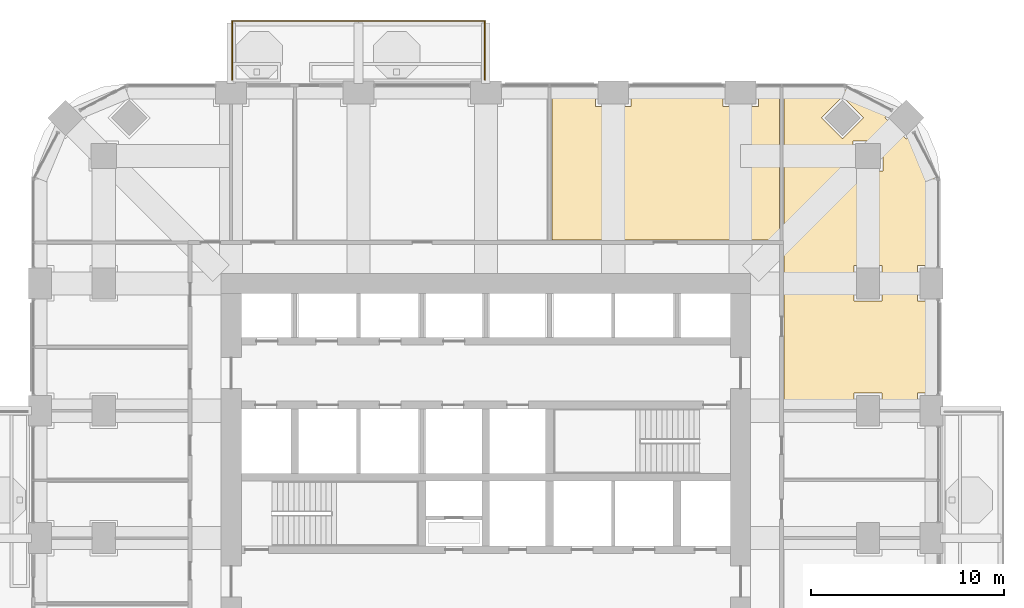
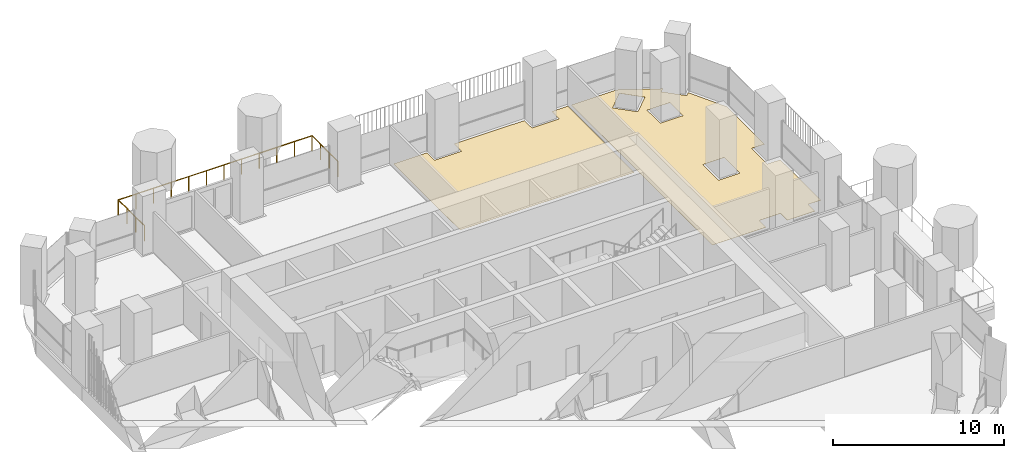
# One storey, part 18 of 19: 2 coverings, 1 railing.
"""IFC4 building model written with IfcOpenShell, lengths in metres."""

from ifc_helpers import new_model, si_unit, direction, frame, origin, place, context, subcontext, project, spatial, polyline, outline, extrude, material, layer, layer_set, type_object, element, save


model = new_model("IFC4")

# Units and contexts
model_context = context("Model", 3, precision=1e-05, world=origin(), true_north=direction((0.0, 1.0)))
body_context = subcontext(model_context, "Body", "Model", "MODEL_VIEW")
ifc_project = project(units=[si_unit("LENGTHUNIT", "METRE"), si_unit("AREAUNIT", "SQUARE_METRE"), si_unit("VOLUMEUNIT", "CUBIC_METRE"), si_unit("PLANEANGLEUNIT", "RADIAN"), si_unit("MASSUNIT", "GRAM", prefix="KILO")], contexts=[model_context])

# Site, building, storey
site_placement = place(None, origin())
site = spatial("IfcSite", under=ifc_project, at=site_placement, CompositionType="ELEMENT")
building_placement = place(site_placement, origin())
building = spatial("IfcBuilding", under=site, at=building_placement, Name="Cobogo Forest Laboratory Tower", CompositionType="ELEMENT")
storey_placement = place(building_placement, frame((0.0, 0.0, 159.89990234375)))
storey = spatial("IfcBuildingStorey", under=building, at=storey_placement, Name="L36", CompositionType="ELEMENT", Elevation=159.89990234375)

# Railing
ifc_material_1 = material(Name="Laminated glass balustrade", Category="glass")
railing_type = type_object("IfcRailingType", Name="BG1 glass balustrade 1100", PredefinedType="GUARDRAIL", material=ifc_material_1)
railing_placement = place(storey_placement, frame((13.25, 43.550048828125, 0.0)))
element("IfcRailing", 1, at=railing_placement, inside=storey, type_object=railing_type, Name="Balcony balustrade BAL-N1 L36", PredefinedType="GUARDRAIL", context=body_context, shape_type="SweptSolid", body=[
    extrude(outline(polyline([(0.022216796875, 0.00927734375), (0.00927734375, 0.022216796875), (-0.00927734375, 0.022216796875), (-0.022216796875, 0.00927734375), (-0.022216796875, -0.00927734375), (-0.00927734375, -0.022216796875), (0.00927734375, -0.022216796875), (0.022216796875, -0.00927734375), (0.022216796875, 0.00927734375)])), frame((0.0, 0.0, 1.077880859375), z_axis=(0.0, 1.0, 0.0), x_axis=(-1.0, 0.0, 0.0)), (0.0, 0.0, 1.0), 3.050048828125),
    extrude(outline(polyline([(0.022216796875, 0.00927734375), (0.00927734375, 0.022216796875), (-0.00927734375, 0.022216796875), (-0.022216796875, 0.00927734375), (-0.022216796875, -0.00927734375), (-0.00927734375, -0.022216796875), (0.00927734375, -0.022216796875), (0.022216796875, -0.00927734375), (0.022216796875, 0.00927734375)])), frame((0.0, 3.050048828125, 1.077880859375), z_axis=(1.0, 0.0, 0.0), x_axis=(0.0, 1.0, 0.0)), (0.0, 0.0, 1.0), 13.10009765625),
    extrude(outline(polyline([(0.022216796875, 0.00927734375), (0.00927734375, 0.022216796875), (-0.00927734375, 0.022216796875), (-0.022216796875, 0.00927734375), (-0.022216796875, -0.00927734375), (-0.00927734375, -0.022216796875), (0.00927734375, -0.022216796875), (0.022216796875, -0.00927734375), (0.022216796875, 0.00927734375)])), frame((13.10009765625, 3.050048828125, 1.077880859375), z_axis=(0.0, -1.0, 0.0), x_axis=(1.0, 0.0, 0.0)), (0.0, 0.0, 1.0), 3.050048828125),
    extrude(outline(polyline([(0.019287109375, 0.008056640625), (0.008056640625, 0.019287109375), (-0.008056640625, 0.019287109375), (-0.019287109375, 0.008056640625), (-0.019287109375, -0.008056640625), (-0.008056640625, -0.019287109375), (0.008056640625, -0.019287109375), (0.019287109375, -0.008056640625), (0.019287109375, 0.008056640625)])), origin(), (0.0, 0.0, 1.0), 1.077880859375),
    extrude(outline(polyline([(0.019287109375, 0.008056640625), (0.008056640625, 0.019287109375), (-0.008056640625, 0.019287109375), (-0.019287109375, 0.008056640625), (-0.019287109375, -0.008056640625), (-0.008056640625, -0.019287109375), (0.008056640625, -0.019287109375), (0.019287109375, -0.008056640625), (0.019287109375, 0.008056640625)])), frame((0.0, 1.0166015625, 0.0)), (0.0, 0.0, 1.0), 1.077880859375),
    extrude(outline(polyline([(0.019287109375, 0.008056640625), (0.008056640625, 0.019287109375), (-0.008056640625, 0.019287109375), (-0.019287109375, 0.008056640625), (-0.019287109375, -0.008056640625), (-0.008056640625, -0.019287109375), (0.008056640625, -0.019287109375), (0.019287109375, -0.008056640625), (0.019287109375, 0.008056640625)])), frame((0.0, 2.033447265625, 0.0)), (0.0, 0.0, 1.0), 1.077880859375),
    extrude(outline(polyline([(0.019287109375, 0.008056640625), (0.008056640625, 0.019287109375), (-0.008056640625, 0.019287109375), (-0.019287109375, 0.008056640625), (-0.019287109375, -0.008056640625), (-0.008056640625, -0.019287109375), (0.008056640625, -0.019287109375), (0.019287109375, -0.008056640625), (0.019287109375, 0.008056640625)])), frame((0.0, 3.050048828125, 0.0)), (0.0, 0.0, 1.0), 1.077880859375),
    extrude(outline(polyline([(0.019287109375, 0.008056640625), (0.008056640625, 0.019287109375), (-0.008056640625, 0.019287109375), (-0.019287109375, 0.008056640625), (-0.019287109375, -0.008056640625), (-0.008056640625, -0.019287109375), (0.008056640625, -0.019287109375), (0.019287109375, -0.008056640625), (0.019287109375, 0.008056640625)])), frame((1.19091796875, 3.050048828125, 0.0)), (0.0, 0.0, 1.0), 1.077880859375),
    extrude(outline(polyline([(0.019287109375, 0.008056640625), (0.008056640625, 0.019287109375), (-0.008056640625, 0.019287109375), (-0.019287109375, 0.008056640625), (-0.019287109375, -0.008056640625), (-0.008056640625, -0.019287109375), (0.008056640625, -0.019287109375), (0.019287109375, -0.008056640625), (0.019287109375, 0.008056640625)])), frame((2.3818359375, 3.050048828125, 0.0)), (0.0, 0.0, 1.0), 1.077880859375),
    extrude(outline(polyline([(0.019287109375, 0.008056640625), (0.008056640625, 0.019287109375), (-0.008056640625, 0.019287109375), (-0.019287109375, 0.008056640625), (-0.019287109375, -0.008056640625), (-0.008056640625, -0.019287109375), (0.008056640625, -0.019287109375), (0.019287109375, -0.008056640625), (0.019287109375, 0.008056640625)])), frame((3.57275390625, 3.050048828125, 0.0)), (0.0, 0.0, 1.0), 1.077880859375),
    extrude(outline(polyline([(0.019287109375, 0.008056640625), (0.008056640625, 0.019287109375), (-0.008056640625, 0.019287109375), (-0.019287109375, 0.008056640625), (-0.019287109375, -0.008056640625), (-0.008056640625, -0.019287109375), (0.008056640625, -0.019287109375), (0.019287109375, -0.008056640625), (0.019287109375, 0.008056640625)])), frame((4.763671875, 3.050048828125, 0.0)), (0.0, 0.0, 1.0), 1.077880859375),
    extrude(outline(polyline([(0.019287109375, 0.008056640625), (0.008056640625, 0.019287109375), (-0.008056640625, 0.019287109375), (-0.019287109375, 0.008056640625), (-0.019287109375, -0.008056640625), (-0.008056640625, -0.019287109375), (0.008056640625, -0.019287109375), (0.019287109375, -0.008056640625), (0.019287109375, 0.008056640625)])), frame((5.95458984375, 3.050048828125, 0.0)), (0.0, 0.0, 1.0), 1.077880859375),
    extrude(outline(polyline([(0.019287109375, 0.008056640625), (0.008056640625, 0.019287109375), (-0.008056640625, 0.019287109375), (-0.019287109375, 0.008056640625), (-0.019287109375, -0.008056640625), (-0.008056640625, -0.019287109375), (0.008056640625, -0.019287109375), (0.019287109375, -0.008056640625), (0.019287109375, 0.008056640625)])), frame((7.1455078125, 3.050048828125, 0.0)), (0.0, 0.0, 1.0), 1.077880859375),
    extrude(outline(polyline([(0.019287109375, 0.008056640625), (0.008056640625, 0.019287109375), (-0.008056640625, 0.019287109375), (-0.019287109375, 0.008056640625), (-0.019287109375, -0.008056640625), (-0.008056640625, -0.019287109375), (0.008056640625, -0.019287109375), (0.019287109375, -0.008056640625), (0.019287109375, 0.008056640625)])), frame((8.33642578125, 3.050048828125, 0.0)), (0.0, 0.0, 1.0), 1.077880859375),
    extrude(outline(polyline([(0.019287109375, 0.008056640625), (0.008056640625, 0.019287109375), (-0.008056640625, 0.019287109375), (-0.019287109375, 0.008056640625), (-0.019287109375, -0.008056640625), (-0.008056640625, -0.019287109375), (0.008056640625, -0.019287109375), (0.019287109375, -0.008056640625), (0.019287109375, 0.008056640625)])), frame((9.52734375, 3.050048828125, 0.0)), (0.0, 0.0, 1.0), 1.077880859375),
    extrude(outline(polyline([(0.019287109375, 0.008056640625), (0.008056640625, 0.019287109375), (-0.008056640625, 0.019287109375), (-0.019287109375, 0.008056640625), (-0.019287109375, -0.008056640625), (-0.008056640625, -0.019287109375), (0.008056640625, -0.019287109375), (0.019287109375, -0.008056640625), (0.019287109375, 0.008056640625)])), frame((10.71826171875, 3.050048828125, 0.0)), (0.0, 0.0, 1.0), 1.077880859375),
    extrude(outline(polyline([(0.019287109375, 0.008056640625), (0.008056640625, 0.019287109375), (-0.008056640625, 0.019287109375), (-0.019287109375, 0.008056640625), (-0.019287109375, -0.008056640625), (-0.008056640625, -0.019287109375), (0.008056640625, -0.019287109375), (0.019287109375, -0.008056640625), (0.019287109375, 0.008056640625)])), frame((11.9091796875, 3.050048828125, 0.0)), (0.0, 0.0, 1.0), 1.077880859375),
    extrude(outline(polyline([(0.019287109375, 0.008056640625), (0.008056640625, 0.019287109375), (-0.008056640625, 0.019287109375), (-0.019287109375, 0.008056640625), (-0.019287109375, -0.008056640625), (-0.008056640625, -0.019287109375), (0.008056640625, -0.019287109375), (0.019287109375, -0.008056640625), (0.019287109375, 0.008056640625)])), frame((13.10009765625, 3.050048828125, 0.0)), (0.0, 0.0, 1.0), 1.077880859375),
    extrude(outline(polyline([(0.019287109375, 0.008056640625), (0.008056640625, 0.019287109375), (-0.008056640625, 0.019287109375), (-0.019287109375, 0.008056640625), (-0.019287109375, -0.008056640625), (-0.008056640625, -0.019287109375), (0.008056640625, -0.019287109375), (0.019287109375, -0.008056640625), (0.019287109375, 0.008056640625)])), frame((13.10009765625, 2.033447265625, 0.0)), (0.0, 0.0, 1.0), 1.077880859375),
    extrude(outline(polyline([(0.019287109375, 0.008056640625), (0.008056640625, 0.019287109375), (-0.008056640625, 0.019287109375), (-0.019287109375, 0.008056640625), (-0.019287109375, -0.008056640625), (-0.008056640625, -0.019287109375), (0.008056640625, -0.019287109375), (0.019287109375, -0.008056640625), (0.019287109375, 0.008056640625)])), frame((13.10009765625, 1.0166015625, 0.0)), (0.0, 0.0, 1.0), 1.077880859375),
    extrude(outline(polyline([(0.019287109375, 0.008056640625), (0.008056640625, 0.019287109375), (-0.008056640625, 0.019287109375), (-0.019287109375, 0.008056640625), (-0.019287109375, -0.008056640625), (-0.008056640625, -0.019287109375), (0.008056640625, -0.019287109375), (0.019287109375, -0.008056640625), (0.019287109375, 0.008056640625)])), frame((13.10009765625, 0.0, 0.0)), (0.0, 0.0, 1.0), 1.077880859375),
])

# Coverings
ifc_material_2 = material(Name="Carpet tile on raised access floor", Category="flooring")
ifc_layer_1 = layer(ifc_material_2, 0.008056640625)
ifc_layer_set_1 = layer_set([ifc_layer_1], Name="CT1 carpet tile floor 8")
covering_type_1 = type_object("IfcCoveringType", Name="CT1 carpet tile floor 8", PredefinedType="FLOORING", material=ifc_layer_set_1)
covering_1_placement = place(storey_placement, origin())
element("IfcCovering", 2, at=covering_1_placement, inside=storey, type_object=covering_type_1, Name="Carpet floor L36-10", PredefinedType="FLOORING", context=body_context, shape_type="SweptSolid", body=[
    extrude(outline(polyline([(41.844970703125, 43.050048828125), (44.95068359375, 43.050048828125), (47.3193359375, 41.808349609375), (47.093017578125, 41.58203125), (48.181884765625, 40.492919921875), (48.408447265625, 40.719482421875), (49.64990234375, 38.350830078125), (49.64990234375, 33.919921875), (48.780029296875, 33.919921875), (48.780029296875, 32.080078125), (49.64990234375, 32.080078125), (49.64990234375, 27.320068359375), (48.780029296875, 27.320068359375), (48.780029296875, 26.52001953125), (46.919921875, 26.52001953125), (46.919921875, 27.320068359375), (45.47998046875, 27.320068359375), (45.47998046875, 26.52001953125), (41.844970703125, 26.52001953125), (41.844970703125, 43.050048828125)]), holes=[polyline([(45.429931640625, 40.3701171875), (45.429931640625, 38.830078125), (46.969970703125, 38.830078125), (46.969970703125, 40.3701171875), (45.429931640625, 40.3701171875)]), polyline([(46.919921875, 32.080078125), (46.919921875, 33.919921875), (45.47998046875, 33.919921875), (45.47998046875, 32.080078125), (46.919921875, 32.080078125)]), polyline([(44.882080078125, 40.492919921875), (45.970947265625, 41.58203125), (44.882080078125, 42.6708984375), (43.79296875, 41.58203125), (44.882080078125, 40.492919921875)])]), origin(), (0.0, 0.0, 1.0), 0.008056640625),
])
ifc_material_3 = material(Name="Static-dissipative vinyl flooring", Category="flooring")
ifc_layer_2 = layer(ifc_material_3, 0.0029296875)
ifc_layer_set_2 = layer_set([ifc_layer_2], Name="SD1 static-dissipative vinyl floor 3")
covering_type_2 = type_object("IfcCoveringType", Name="SD1 static-dissipative vinyl floor 3", PredefinedType="FLOORING", material=ifc_layer_set_2)
covering_2_placement = place(storey_placement, origin())
element("IfcCovering", 3, at=covering_2_placement, inside=storey, type_object=covering_type_2, Name="Static-dissipative floor L36-14", PredefinedType="FLOORING", context=body_context, shape_type="SweptSolid", body=[
    extrude(outline(polyline([(29.820068359375, 35.2451171875), (29.820068359375, 43.050048828125), (32.080078125, 43.050048828125), (32.080078125, 42.179931640625), (33.919921875, 42.179931640625), (33.919921875, 43.050048828125), (38.679931640625, 43.050048828125), (38.679931640625, 42.179931640625), (40.52001953125, 42.179931640625), (40.52001953125, 43.050048828125), (41.60498046875, 43.050048828125), (41.60498046875, 35.2451171875), (29.820068359375, 35.2451171875)])), origin(), (0.0, 0.0, 1.0), 0.003173828125),
])

save(model, "model.ifc")
